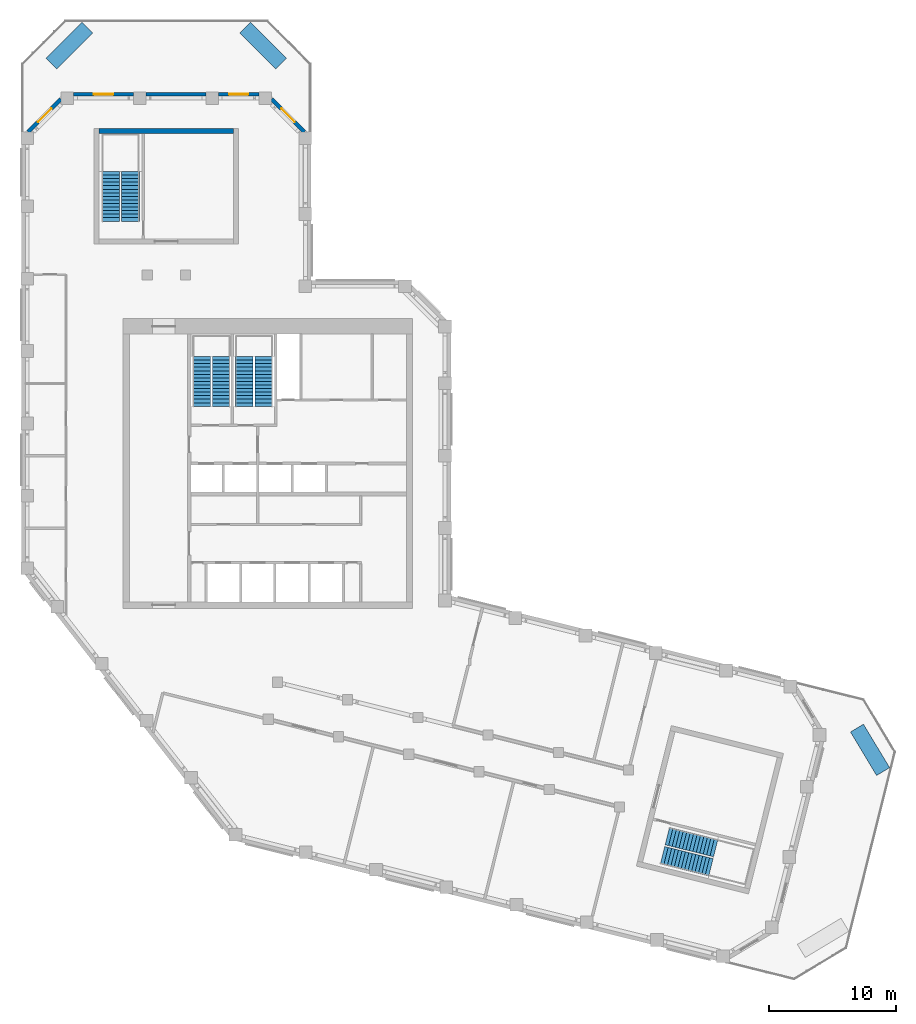
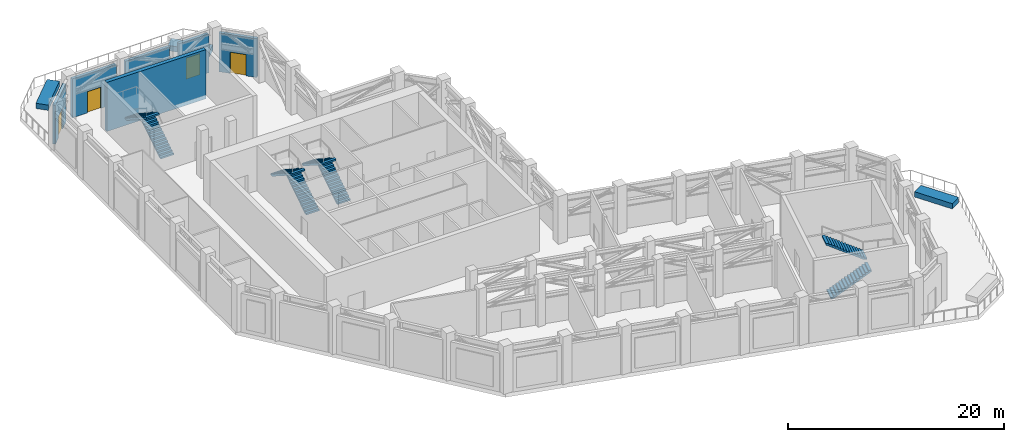
# One storey, part 7 of 8: 9 walls, 8 stair flights, 4 doors, 4 openings, 4 elements without a shape of their own.
"""IFC4 building model written with IfcOpenShell, lengths in metres."""

from ifc_helpers import new_model, si_unit, direction, frame, frame_2d, origin, place, context, subcontext, project, spatial, polyline, rectangle, outline, extrude, material, layer, layer_set, type_object, element, fill, aggregate, save


model = new_model("IFC4")

# Units and contexts
model_context = context("Model", 3, precision=1e-05, world=origin(), true_north=direction((0.0, 1.0)))
body_context = subcontext(model_context, "Body", "Model", "MODEL_VIEW")
ifc_project = project(units=[si_unit("LENGTHUNIT", "METRE"), si_unit("AREAUNIT", "SQUARE_METRE"), si_unit("VOLUMEUNIT", "CUBIC_METRE"), si_unit("PLANEANGLEUNIT", "RADIAN"), si_unit("MASSUNIT", "GRAM", prefix="KILO")], contexts=[model_context])

# Site, building, storey
site_placement = place(None, origin())
site = spatial("IfcSite", under=ifc_project, at=site_placement, CompositionType="ELEMENT")
building_placement = place(site_placement, origin())
building = spatial("IfcBuilding", under=site, at=building_placement, Name="Meshkara Civic Tower", CompositionType="ELEMENT")
storey_placement = place(building_placement, frame((0.0, 0.0, 348.60009765625)))
storey = spatial("IfcBuildingStorey", under=building, at=storey_placement, Name="L80", CompositionType="ELEMENT", Elevation=348.60009765625)

# Wall, opening, door
ifc_material_1 = material(Name="Insulated infill panel with bronze anodised aluminium cladding", Category="aluminium")
ifc_layer_1 = layer(ifc_material_1, 0.300048828125)
ifc_layer_set_1 = layer_set([ifc_layer_1], Name="EXTERNAL INFILL WALL 300")
wall_type_1 = type_object("IfcWallType", Name="EXTERNAL INFILL WALL 300", PredefinedType="SOLIDWALL", material=ifc_layer_set_1)
wall_1_placement = place(storey_placement, frame((22.27392578125, 51.614013671875, 0.0), z_axis=(0.0, 0.0, 1.0), x_axis=(-0.707073323722, 0.707140237068, 0.0)))
wall_1 = element("IfcWall", 1, at=wall_1_placement, inside=storey, type_object=wall_type_1, Name="External wall", PredefinedType="SOLIDWALL", context=body_context, shape_type="SweptSolid", body=[
    extrude(rectangle(XDim=3.648681640625, YDim=0.300048828125, at=frame_2d((1.82421875, 0.0))), origin(), (0.0, 0.0, 1.0), 4.39990234375),
])
opening_1_placement = place(wall_1_placement, frame((1.073974609375, 0.0, 0.0)))
opening_1 = element("IfcOpeningElement", 2, at=opening_1_placement, cuts=wall_1, Name="Opening L80-L001", PredefinedType="OPENING", context=body_context, shape_type="SweptSolid", body=[
    extrude(rectangle(XDim=1.5, YDim=2.39990234375, at=frame_2d((0.75, 1.199951171875))), frame((0.0, 0.159912109375, 0.0), z_axis=(0.0, -1.0, 0.0), x_axis=(1.0, 0.0, 0.0)), (0.0, 0.0, 1.0), 0.320068359375),
])
ifc_material_2 = material(Name="Bronze anodised aluminium", Category="aluminium")
door_type = type_object("IfcDoorType", Name="TERRACE DOOR 1500x2400", OperationType="DOUBLE_DOOR_SINGLE_SWING", PredefinedType="DOOR", material=ifc_material_2)
door_1_placement = place(opening_1_placement, origin())
door_1 = element("IfcDoor", 3, at=door_1_placement, inside=storey, type_object=door_type, Name="L80-L001", OperationType="DOUBLE_DOOR_SINGLE_SWING", OverallHeight=2.39990234375, OverallWidth=1.5, PredefinedType="DOOR", context=body_context, shape_type="SweptSolid", body=[
    extrude(rectangle(XDim=1.5, YDim=2.39990234375, at=frame_2d((0.75, 1.199951171875))), frame((0.0, 0.02490234375, 0.0), z_axis=(0.0, -1.0, 0.0), x_axis=(1.0, 0.0, 0.0)), (0.0, 0.0, 1.0), 0.050048828125),
])
fill(opening_1, door_1)

wall_2_placement = place(storey_placement, frame((18.694091796875, 54.570068359375, 0.0), z_axis=(0.0, 0.0, 1.0), x_axis=(-1.0, 0.0, 0.0)))
wall_2 = element("IfcWall", 4, at=wall_2_placement, inside=storey, type_object=wall_type_1, Name="External wall", PredefinedType="SOLIDWALL", context=body_context, shape_type="SweptSolid", body=[
    extrude(rectangle(XDim=3.18701171875, YDim=0.300048828125, at=frame_2d((1.593505859375, 0.0))), origin(), (0.0, 0.0, 1.0), 4.39990234375),
])
opening_2_placement = place(wall_2_placement, frame((0.843017578125, 0.0, 0.0)))
opening_2 = element("IfcOpeningElement", 5, at=opening_2_placement, cuts=wall_2, Name="Opening L80-L002", PredefinedType="OPENING", context=body_context, shape_type="SweptSolid", body=[
    extrude(rectangle(XDim=1.5, YDim=2.39990234375, at=frame_2d((0.75, 1.199951171875))), frame((0.0, 0.159912109375, 0.0), z_axis=(0.0, -1.0, 0.0), x_axis=(1.0, 0.0, 0.0)), (0.0, 0.0, 1.0), 0.320068359375),
])
door_2_placement = place(opening_2_placement, origin())
door_2 = element("IfcDoor", 6, at=door_2_placement, inside=storey, type_object=door_type, Name="L80-L002", OperationType="DOUBLE_DOOR_SINGLE_SWING", OverallHeight=2.39990234375, OverallWidth=1.5, PredefinedType="DOOR", context=body_context, shape_type="SweptSolid", body=[
    extrude(rectangle(XDim=1.5, YDim=2.39990234375, at=frame_2d((0.75, 1.199951171875))), frame((0.0, 0.02490234375, 0.0), z_axis=(0.0, -1.0, 0.0), x_axis=(1.0, 0.0, 0.0)), (0.0, 0.0, 1.0), 0.050048828125),
])
fill(opening_2, door_2)

# Wall
wall_3_placement = place(storey_placement, frame((14.506103515625, 54.570068359375, 0.0), z_axis=(0.0, 0.0, 1.0), x_axis=(-1.0, 0.0, 0.0)))
element("IfcWall", 7, at=wall_3_placement, inside=storey, type_object=wall_type_1, Name="External wall", PredefinedType="SOLIDWALL", context=body_context, shape_type="SweptSolid", body=[
    extrude(rectangle(XDim=4.7001953125, YDim=0.300048828125, at=frame_2d((2.35009765625, 0.0))), origin(), (0.0, 0.0, 1.0), 4.39990234375),
])

# Wall, opening, door
wall_4_placement = place(storey_placement, frame((8.804931640625, 54.570068359375, 0.0), z_axis=(0.0, 0.0, 1.0), x_axis=(-1.0, 0.0, 0.0)))
wall_4 = element("IfcWall", 8, at=wall_4_placement, inside=storey, type_object=wall_type_1, Name="External wall", PredefinedType="SOLIDWALL", context=body_context, shape_type="SweptSolid", body=[
    extrude(rectangle(XDim=4.697998046875, YDim=0.300048828125, at=frame_2d((2.34912109375, 0.0))), origin(), (0.0, 0.0, 1.0), 4.39990234375),
])
opening_3_placement = place(wall_4_placement, frame((1.59912109375, 0.0, 0.0)))
opening_3 = element("IfcOpeningElement", 9, at=opening_3_placement, cuts=wall_4, Name="Opening L80-L003", PredefinedType="OPENING", context=body_context, shape_type="SweptSolid", body=[
    extrude(rectangle(XDim=1.5, YDim=2.39990234375, at=frame_2d((0.75, 1.199951171875))), frame((0.0, 0.159912109375, 0.0), z_axis=(0.0, -1.0, 0.0), x_axis=(1.0, 0.0, 0.0)), (0.0, 0.0, 1.0), 0.320068359375),
])
door_3_placement = place(opening_3_placement, origin())
door_3 = element("IfcDoor", 10, at=door_3_placement, inside=storey, type_object=door_type, Name="L80-L003", OperationType="DOUBLE_DOOR_SINGLE_SWING", OverallHeight=2.39990234375, OverallWidth=1.5, PredefinedType="DOOR", context=body_context, shape_type="SweptSolid", body=[
    extrude(rectangle(XDim=1.5, YDim=2.39990234375, at=frame_2d((0.75, 1.199951171875))), frame((0.0, 0.02490234375, 0.0), z_axis=(0.0, -1.0, 0.0), x_axis=(1.0, 0.0, 0.0)), (0.0, 0.0, 1.0), 0.050048828125),
])
fill(opening_3, door_3)

wall_5_placement = place(storey_placement, frame((3.10595703125, 54.194091796875, 0.0), z_axis=(0.0, 0.0, 1.0), x_axis=(-0.707106781187, -0.707106781187, 0.0)))
wall_5 = element("IfcWall", 11, at=wall_5_placement, inside=storey, type_object=wall_type_1, Name="External wall", PredefinedType="SOLIDWALL", context=body_context, shape_type="SweptSolid", body=[
    extrude(rectangle(XDim=3.648681640625, YDim=0.300048828125, at=frame_2d((1.82421875, 0.0))), origin(), (0.0, 0.0, 1.0), 4.39990234375),
])
opening_4_placement = place(wall_5_placement, frame((1.073974609375, 0.0, 0.0)))
opening_4 = element("IfcOpeningElement", 12, at=opening_4_placement, cuts=wall_5, Name="Opening L80-L004", PredefinedType="OPENING", context=body_context, shape_type="SweptSolid", body=[
    extrude(rectangle(XDim=1.5, YDim=2.39990234375, at=frame_2d((0.75, 1.199951171875))), frame((0.0, 0.159912109375, 0.0), z_axis=(0.0, -1.0, 0.0), x_axis=(1.0, 0.0, 0.0)), (0.0, 0.0, 1.0), 0.320068359375),
])
door_4_placement = place(opening_4_placement, origin())
door_4 = element("IfcDoor", 13, at=door_4_placement, inside=storey, type_object=door_type, Name="L80-L004", OperationType="DOUBLE_DOOR_SINGLE_SWING", OverallHeight=2.39990234375, OverallWidth=1.5, PredefinedType="DOOR", context=body_context, shape_type="SweptSolid", body=[
    extrude(rectangle(XDim=1.5, YDim=2.39990234375, at=frame_2d((0.75, 1.199951171875))), frame((0.0, 0.02490234375, 0.0), z_axis=(0.0, -1.0, 0.0), x_axis=(1.0, 0.0, 0.0)), (0.0, 0.0, 1.0), 0.050048828125),
])
fill(opening_4, door_4)

# Walls
ifc_material_3 = material(Name="Concrete C60", Category="concrete")
ifc_layer_2 = layer(ifc_material_3, 0.39990234375)
ifc_layer_set_2 = layer_set([ifc_layer_2], Name="End core ring wall 400 C60")
wall_type_2 = type_object("IfcWallType", Name="End core ring wall 400 C60", PredefinedType="SHEAR", material=ifc_layer_set_2)
wall_6_placement = place(storey_placement, frame((6.10009765625, 51.669921875, -0.4501953125), z_axis=(0.0, 0.0, 1.0), x_axis=(1.0, 0.0, 0.0)))
element("IfcWall", 14, at=wall_6_placement, inside=storey, type_object=wall_type_2, Name="L80-C030", PredefinedType="SHEAR", context=body_context, shape_type="SweptSolid", body=[
    extrude(rectangle(XDim=10.599853515625, YDim=0.39990234375, at=frame_2d((5.2998046875, 0.0))), origin(), (0.0, 0.0, 1.0), 5.550048828125),
])
ifc_material_4 = material(Name="Concrete C40", Category="concrete")
ifc_layer_3 = layer(ifc_material_4, 1.199951171875)
ifc_layer_set_3 = layer_set([ifc_layer_3], Name="PLANTING BED")
wall_type_3 = type_object("IfcWallType", Name="PLANTING BED", PredefinedType="SOLIDWALL", material=ifc_layer_set_3)
wall_7_placement = place(storey_placement, frame((2.35791015625, 56.99609375, 0.0), z_axis=(0.0, 0.0, 1.0), x_axis=(0.707137302683, 0.707076258372, 0.0)))
element("IfcWall", 15, at=wall_7_placement, inside=storey, type_object=wall_type_3, Name="Planting bed", PredefinedType="SOLIDWALL", context=body_context, shape_type="SweptSolid", body=[
    extrude(rectangle(XDim=3.99951171875, YDim=1.199951171875, at=frame_2d((1.999755859375, 0.0))), origin(), (0.0, 0.0, 1.0), 0.599853515625),
])
for number, where, z_axis, x_axis, name in (
    (16, (17.614013671875, 59.823974609375, 0.0), (0.0, 0.0, 1.0), (0.707106781187, -0.707106781187, 0.0), "Planting bed"),
    (17, (65.779052734375, 4.6669921875, 0.0), (0.0, 0.0, 1.0), (0.515097100943, -0.857131831517, 0.0), "Planting bed"),
):
    element("IfcWall", number, at=place(storey_placement, frame(where, z_axis=z_axis, x_axis=x_axis)), inside=storey, type_object=wall_type_3, Name=name, PredefinedType="SOLIDWALL", context=body_context, shape_type="SweptSolid", body=[
        extrude(rectangle(XDim=3.999267578125, YDim=1.199951171875, at=frame_2d((1.99951171875, 0.0))), origin(), (0.0, 0.0, 1.0), 0.599853515625),
    ])

# Stair, stair flights
ifc_material_5 = material(Name="Precast concrete C40/50", Category="concrete")
stair_type = type_object("IfcStairType", Name="Exit stair half-turn 30 risers precast", PredefinedType="HALF_TURN_STAIR", material=ifc_material_5)
stair_1_placement = place(storey_placement, origin())
stair_1 = element("IfcStair", 18, at=stair_1_placement, inside=storey, type_object=stair_type, Name="L80 exit stair 1", PredefinedType="HALF_TURN_STAIR")
ifc_material_6 = material(Name="Precast concrete C40/50", Category="concrete")
stair_flight_type = type_object("IfcStairFlightType", Name="Exit stair flight 15 risers precast", PredefinedType="STRAIGHT", material=ifc_material_6)
stair_flight_1_placement = place(storey_placement, frame((15.72509765625, 30.0, 0.0), z_axis=(0.0, 0.0, 1.0), x_axis=(0.0, 1.0, 0.0)))
stair_flight_1 = element("IfcStairFlight", 19, at=stair_flight_1_placement, type_object=stair_flight_type, Name="ST1 flight 1", NumberOfRisers=15, NumberOfTreads=14, PredefinedType="STRAIGHT", RiserHeight=0.18, TreadLength=0.28, context=body_context, shape_type="SweptSolid", body=[
    extrude(outline(polyline([(0.0, 0.0), (0.0, 0.179931640625), (0.280029296875, 0.179931640625), (0.280029296875, 0.360107421875), (0.56005859375, 0.360107421875), (0.56005859375, 0.5400390625), (0.840087890625, 0.5400390625), (0.840087890625, 0.719970703125), (1.1201171875, 0.719970703125), (1.1201171875, 0.89990234375), (1.39990234375, 0.89990234375), (1.39990234375, 1.080078125), (1.679931640625, 1.080078125), (1.679931640625, 1.260009765625), (1.9599609375, 1.260009765625), (1.9599609375, 1.43994140625), (2.239990234375, 1.43994140625), (2.239990234375, 1.6201171875), (2.52001953125, 1.6201171875), (2.52001953125, 1.800048828125), (2.800048828125, 1.800048828125), (2.800048828125, 1.97998046875), (3.080078125, 1.97998046875), (3.080078125, 2.159912109375), (3.360107421875, 2.159912109375), (3.360107421875, 2.340087890625), (3.639892578125, 2.340087890625), (3.639892578125, 2.52001953125), (3.919921875, 2.52001953125), (3.919921875, 2.699951171875), (3.919921875, 2.341796875), (0.277099609375, 0.0), (0.0, 0.0)])), frame((0.0, 0.699951171875, 0.0), z_axis=(0.0, -1.0, 0.0), x_axis=(1.0, 0.0, 0.0)), (0.0, 0.0, 1.0), 1.39990234375),
])
stair_flight_2_placement = place(storey_placement, frame((14.175048828125, 33.919921875, 2.699951171875), z_axis=(0.0, 0.0, 1.0), x_axis=(0.0, -1.0, 0.0)))
stair_flight_2 = element("IfcStairFlight", 20, at=stair_flight_2_placement, type_object=stair_flight_type, Name="ST1 flight 2", NumberOfRisers=15, NumberOfTreads=14, PredefinedType="STRAIGHT", RiserHeight=0.18, TreadLength=0.28, context=body_context, shape_type="SweptSolid", body=[
    extrude(outline(polyline([(0.0, 0.0), (0.0, 0.179931640625), (0.280029296875, 0.179931640625), (0.280029296875, 0.360107421875), (0.56005859375, 0.360107421875), (0.56005859375, 0.5400390625), (0.840087890625, 0.5400390625), (0.840087890625, 0.719970703125), (1.1201171875, 0.719970703125), (1.1201171875, 0.89990234375), (1.39990234375, 0.89990234375), (1.39990234375, 1.080078125), (1.679931640625, 1.080078125), (1.679931640625, 1.260009765625), (1.9599609375, 1.260009765625), (1.9599609375, 1.43994140625), (2.239990234375, 1.43994140625), (2.239990234375, 1.6201171875), (2.52001953125, 1.6201171875), (2.52001953125, 1.800048828125), (2.800048828125, 1.800048828125), (2.800048828125, 1.97998046875), (3.080078125, 1.97998046875), (3.080078125, 2.159912109375), (3.360107421875, 2.159912109375), (3.360107421875, 2.340087890625), (3.639892578125, 2.340087890625), (3.639892578125, 2.52001953125), (3.919921875, 2.52001953125), (3.919921875, 2.699951171875), (3.919921875, 2.341796875), (0.277099609375, 0.0), (0.0, 0.0)])), frame((0.0, 0.699951171875, 0.0), z_axis=(0.0, -1.0, 0.0), x_axis=(1.0, 0.0, 0.0)), (0.0, 0.0, 1.0), 1.39990234375),
])
aggregate(stair_1, [stair_flight_1, stair_flight_2])

stair_2_placement = place(storey_placement, origin())
stair_2 = element("IfcStair", 21, at=stair_2_placement, inside=storey, type_object=stair_type, Name="L80 exit stair 2", PredefinedType="HALF_TURN_STAIR")
stair_flight_3_placement = place(storey_placement, frame((19.074951171875, 30.0, 0.0), z_axis=(0.0, 0.0, 1.0), x_axis=(0.0, 1.0, 0.0)))
stair_flight_3 = element("IfcStairFlight", 22, at=stair_flight_3_placement, type_object=stair_flight_type, Name="ST2 flight 1", NumberOfRisers=15, NumberOfTreads=14, PredefinedType="STRAIGHT", RiserHeight=0.18, TreadLength=0.28, context=body_context, shape_type="SweptSolid", body=[
    extrude(outline(polyline([(0.0, 0.0), (0.0, 0.179931640625), (0.280029296875, 0.179931640625), (0.280029296875, 0.360107421875), (0.56005859375, 0.360107421875), (0.56005859375, 0.5400390625), (0.840087890625, 0.5400390625), (0.840087890625, 0.719970703125), (1.1201171875, 0.719970703125), (1.1201171875, 0.89990234375), (1.39990234375, 0.89990234375), (1.39990234375, 1.080078125), (1.679931640625, 1.080078125), (1.679931640625, 1.260009765625), (1.9599609375, 1.260009765625), (1.9599609375, 1.43994140625), (2.239990234375, 1.43994140625), (2.239990234375, 1.6201171875), (2.52001953125, 1.6201171875), (2.52001953125, 1.800048828125), (2.800048828125, 1.800048828125), (2.800048828125, 1.97998046875), (3.080078125, 1.97998046875), (3.080078125, 2.159912109375), (3.360107421875, 2.159912109375), (3.360107421875, 2.340087890625), (3.639892578125, 2.340087890625), (3.639892578125, 2.52001953125), (3.919921875, 2.52001953125), (3.919921875, 2.699951171875), (3.919921875, 2.341796875), (0.277099609375, 0.0), (0.0, 0.0)])), frame((0.0, 0.699951171875, 0.0), z_axis=(0.0, -1.0, 0.0), x_axis=(1.0, 0.0, 0.0)), (0.0, 0.0, 1.0), 1.39990234375),
])
stair_flight_4_placement = place(storey_placement, frame((17.52490234375, 33.919921875, 2.699951171875), z_axis=(0.0, 0.0, 1.0), x_axis=(0.0, -1.0, 0.0)))
stair_flight_4 = element("IfcStairFlight", 23, at=stair_flight_4_placement, type_object=stair_flight_type, Name="ST2 flight 2", NumberOfRisers=15, NumberOfTreads=14, PredefinedType="STRAIGHT", RiserHeight=0.18, TreadLength=0.28, context=body_context, shape_type="SweptSolid", body=[
    extrude(outline(polyline([(0.0, 0.0), (0.0, 0.179931640625), (0.280029296875, 0.179931640625), (0.280029296875, 0.360107421875), (0.56005859375, 0.360107421875), (0.56005859375, 0.5400390625), (0.840087890625, 0.5400390625), (0.840087890625, 0.719970703125), (1.1201171875, 0.719970703125), (1.1201171875, 0.89990234375), (1.39990234375, 0.89990234375), (1.39990234375, 1.080078125), (1.679931640625, 1.080078125), (1.679931640625, 1.260009765625), (1.9599609375, 1.260009765625), (1.9599609375, 1.43994140625), (2.239990234375, 1.43994140625), (2.239990234375, 1.6201171875), (2.52001953125, 1.6201171875), (2.52001953125, 1.800048828125), (2.800048828125, 1.800048828125), (2.800048828125, 1.97998046875), (3.080078125, 1.97998046875), (3.080078125, 2.159912109375), (3.360107421875, 2.159912109375), (3.360107421875, 2.340087890625), (3.639892578125, 2.340087890625), (3.639892578125, 2.52001953125), (3.919921875, 2.52001953125), (3.919921875, 2.699951171875), (3.919921875, 2.341796875), (0.277099609375, 0.0), (0.0, 0.0)])), frame((0.0, 0.699951171875, 0.0), z_axis=(0.0, -1.0, 0.0), x_axis=(1.0, 0.0, 0.0)), (0.0, 0.0, 1.0), 1.39990234375),
])
aggregate(stair_2, [stair_flight_3, stair_flight_4])

stair_3_placement = place(storey_placement, origin())
stair_3 = element("IfcStair", 24, at=stair_3_placement, inside=storey, type_object=stair_type, Name="L80 exit stair A from L80", PredefinedType="HALF_TURN_STAIR")
stair_flight_5_placement = place(storey_placement, frame((8.574951171875, 44.570068359375, 0.0), z_axis=(0.0, 0.0, 1.0), x_axis=(0.0, 1.0, 0.0)))
stair_flight_5 = element("IfcStairFlight", 25, at=stair_flight_5_placement, type_object=stair_flight_type, Name="ESA6 flight 1", NumberOfRisers=15, NumberOfTreads=14, PredefinedType="STRAIGHT", RiserHeight=0.18, TreadLength=0.28, context=body_context, shape_type="SweptSolid", body=[
    extrude(outline(polyline([(0.0, 0.0), (0.0, 0.179931640625), (0.280029296875, 0.179931640625), (0.280029296875, 0.360107421875), (0.56005859375, 0.360107421875), (0.56005859375, 0.5400390625), (0.840087890625, 0.5400390625), (0.840087890625, 0.719970703125), (1.1201171875, 0.719970703125), (1.1201171875, 0.89990234375), (1.39990234375, 0.89990234375), (1.39990234375, 1.080078125), (1.679931640625, 1.080078125), (1.679931640625, 1.260009765625), (1.9599609375, 1.260009765625), (1.9599609375, 1.43994140625), (2.239990234375, 1.43994140625), (2.239990234375, 1.6201171875), (2.52001953125, 1.6201171875), (2.52001953125, 1.800048828125), (2.800048828125, 1.800048828125), (2.800048828125, 1.97998046875), (3.080078125, 1.97998046875), (3.080078125, 2.159912109375), (3.360107421875, 2.159912109375), (3.360107421875, 2.340087890625), (3.639892578125, 2.340087890625), (3.639892578125, 2.52001953125), (3.919921875, 2.52001953125), (3.919921875, 2.699951171875), (3.919921875, 2.341796875), (0.277099609375, 0.0), (0.0, 0.0)])), frame((0.0, 0.699951171875, 0.0), z_axis=(0.0, -1.0, 0.0), x_axis=(1.0, 0.0, 0.0)), (0.0, 0.0, 1.0), 1.39990234375),
])
stair_flight_6_placement = place(storey_placement, frame((7.02490234375, 48.489990234375, 2.699951171875), z_axis=(0.0, 0.0, 1.0), x_axis=(0.0, -1.0, 0.0)))
stair_flight_6 = element("IfcStairFlight", 26, at=stair_flight_6_placement, type_object=stair_flight_type, Name="ESA6 flight 2", NumberOfRisers=15, NumberOfTreads=14, PredefinedType="STRAIGHT", RiserHeight=0.18, TreadLength=0.28, context=body_context, shape_type="SweptSolid", body=[
    extrude(outline(polyline([(0.0, 0.0), (0.0, 0.179931640625), (0.280029296875, 0.179931640625), (0.280029296875, 0.360107421875), (0.56005859375, 0.360107421875), (0.56005859375, 0.5400390625), (0.840087890625, 0.5400390625), (0.840087890625, 0.719970703125), (1.1201171875, 0.719970703125), (1.1201171875, 0.89990234375), (1.39990234375, 0.89990234375), (1.39990234375, 1.080078125), (1.679931640625, 1.080078125), (1.679931640625, 1.260009765625), (1.9599609375, 1.260009765625), (1.9599609375, 1.43994140625), (2.239990234375, 1.43994140625), (2.239990234375, 1.6201171875), (2.52001953125, 1.6201171875), (2.52001953125, 1.800048828125), (2.800048828125, 1.800048828125), (2.800048828125, 1.97998046875), (3.080078125, 1.97998046875), (3.080078125, 2.159912109375), (3.360107421875, 2.159912109375), (3.360107421875, 2.340087890625), (3.639892578125, 2.340087890625), (3.639892578125, 2.52001953125), (3.919921875, 2.52001953125), (3.919921875, 2.699951171875), (3.919921875, 2.341796875), (0.277099609375, 0.0), (0.0, 0.0)])), frame((0.0, 0.699951171875, 0.0), z_axis=(0.0, -1.0, 0.0), x_axis=(1.0, 0.0, 0.0)), (0.0, 0.0, 1.0), 1.39990234375),
])
aggregate(stair_3, [stair_flight_5, stair_flight_6])

stair_4_placement = place(storey_placement, origin())
stair_4 = element("IfcStair", 27, at=stair_4_placement, inside=storey, type_object=stair_type, Name="L80 exit stair B from L80", PredefinedType="HALF_TURN_STAIR")
stair_flight_7_placement = place(storey_placement, frame((50.47607421875, -5.344482421875, 0.0), z_axis=(0.0, 0.0, 1.0), x_axis=(0.9703185901, -0.241830175344, 0.0)))
stair_flight_7 = element("IfcStairFlight", 28, at=stair_flight_7_placement, type_object=stair_flight_type, Name="ESB6 flight 1", NumberOfRisers=15, NumberOfTreads=14, PredefinedType="STRAIGHT", RiserHeight=0.18, TreadLength=0.28, context=body_context, shape_type="SweptSolid", body=[
    extrude(outline(polyline([(0.0, 0.0), (0.0, 0.179931640625), (0.280029296875, 0.179931640625), (0.280029296875, 0.360107421875), (0.56005859375, 0.360107421875), (0.56005859375, 0.5400390625), (0.840087890625, 0.5400390625), (0.840087890625, 0.719970703125), (1.1201171875, 0.719970703125), (1.1201171875, 0.89990234375), (1.39990234375, 0.89990234375), (1.39990234375, 1.080078125), (1.679931640625, 1.080078125), (1.679931640625, 1.260009765625), (1.9599609375, 1.260009765625), (1.9599609375, 1.43994140625), (2.239990234375, 1.43994140625), (2.239990234375, 1.6201171875), (2.52001953125, 1.6201171875), (2.52001953125, 1.800048828125), (2.800048828125, 1.800048828125), (2.800048828125, 1.97998046875), (3.080078125, 1.97998046875), (3.080078125, 2.159912109375), (3.360107421875, 2.159912109375), (3.360107421875, 2.340087890625), (3.639892578125, 2.340087890625), (3.639892578125, 2.52001953125), (3.919921875, 2.52001953125), (3.919921875, 2.699951171875), (3.919921875, 2.341796875), (0.277099609375, 0.0), (0.0, 0.0)])), frame((0.0, 0.699951171875, 0.0), z_axis=(0.0, -1.0, 0.0), x_axis=(1.0, 0.0, 0.0)), (0.0, 0.0, 1.0), 1.39990234375),
])
stair_flight_8_placement = place(storey_placement, frame((54.654541015625, -4.78857421875, 2.699951171875), z_axis=(0.0, 0.0, 1.0), x_axis=(-0.9703185901, 0.241830175344, 0.0)))
stair_flight_8 = element("IfcStairFlight", 29, at=stair_flight_8_placement, type_object=stair_flight_type, Name="ESB6 flight 2", NumberOfRisers=15, NumberOfTreads=14, PredefinedType="STRAIGHT", RiserHeight=0.18, TreadLength=0.28, context=body_context, shape_type="SweptSolid", body=[
    extrude(outline(polyline([(0.0, 0.0), (0.0, 0.179931640625), (0.280029296875, 0.179931640625), (0.280029296875, 0.360107421875), (0.56005859375, 0.360107421875), (0.56005859375, 0.5400390625), (0.840087890625, 0.5400390625), (0.840087890625, 0.719970703125), (1.1201171875, 0.719970703125), (1.1201171875, 0.89990234375), (1.39990234375, 0.89990234375), (1.39990234375, 1.080078125), (1.679931640625, 1.080078125), (1.679931640625, 1.260009765625), (1.9599609375, 1.260009765625), (1.9599609375, 1.43994140625), (2.239990234375, 1.43994140625), (2.239990234375, 1.6201171875), (2.52001953125, 1.6201171875), (2.52001953125, 1.800048828125), (2.800048828125, 1.800048828125), (2.800048828125, 1.97998046875), (3.080078125, 1.97998046875), (3.080078125, 2.159912109375), (3.360107421875, 2.159912109375), (3.360107421875, 2.340087890625), (3.639892578125, 2.340087890625), (3.639892578125, 2.52001953125), (3.919921875, 2.52001953125), (3.919921875, 2.699951171875), (3.919921875, 2.341796875), (0.277099609375, 0.0), (0.0, 0.0)])), frame((0.0, 0.699951171875, 0.0), z_axis=(0.0, -1.0, 0.0), x_axis=(1.0, 0.0, 0.0)), (0.0, 0.0, 1.0), 1.39990234375),
])
aggregate(stair_4, [stair_flight_7, stair_flight_8])

save(model, "model.ifc")
